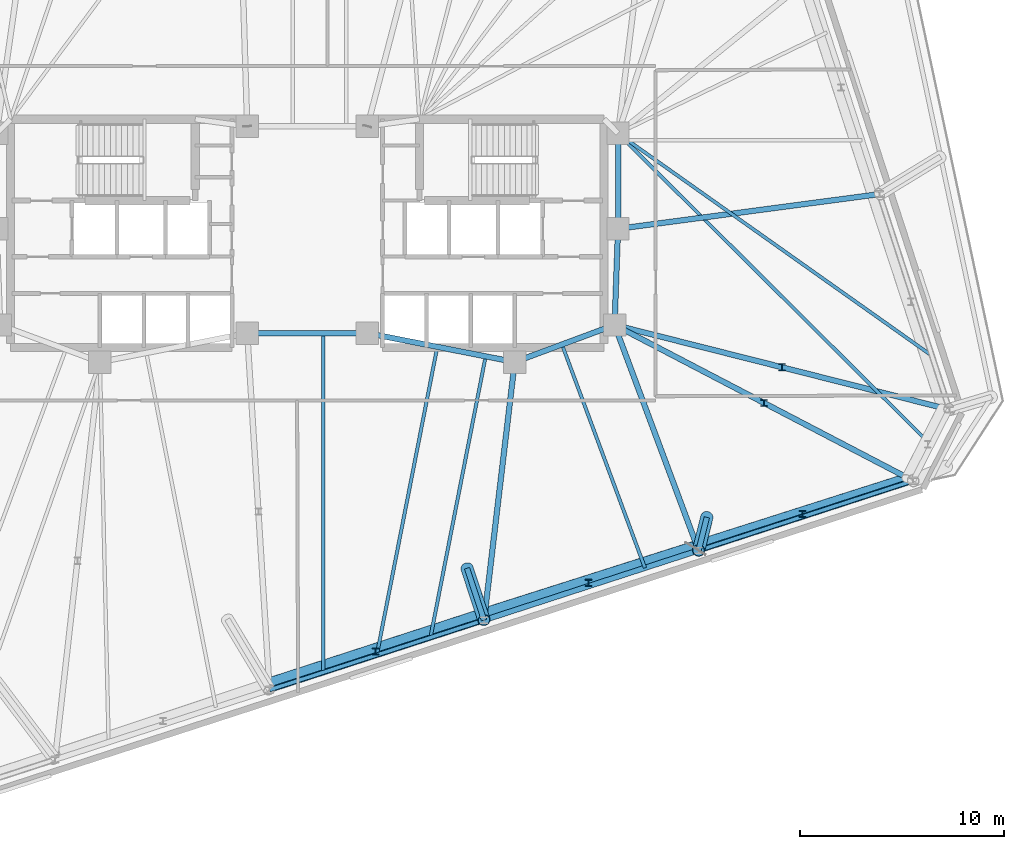
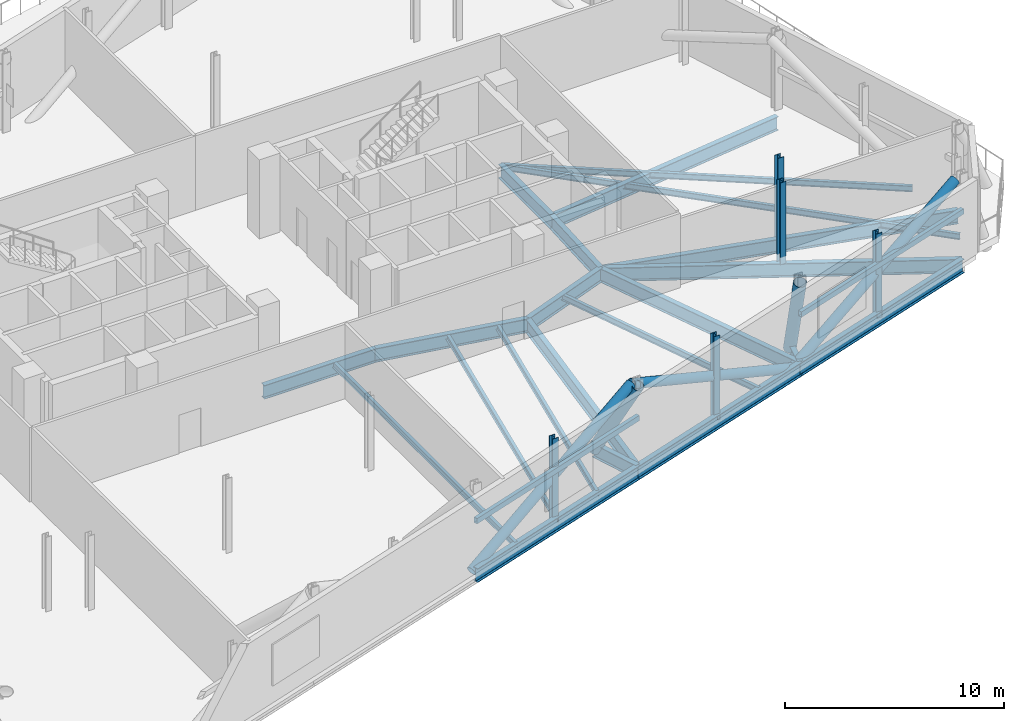
# One storey, part 6 of 16: 21 beams, 12 members.
"""IFC4 building model written with IfcOpenShell, lengths in metres."""

from ifc_helpers import new_model, si_unit, direction, frame, origin, origin_2d, place, context, subcontext, project, spatial, hollow_rectangle, hollow_circle, i_section, extrude, material, material_profile, profile_set, type_object, element, save


model = new_model("IFC4")

# Units and contexts
model_context = context("Model", 3, precision=1e-05, world=origin(), true_north=direction((0.0, 1.0)))
body_context = subcontext(model_context, "Body", "Model", "MODEL_VIEW")
ifc_project = project(units=[si_unit("LENGTHUNIT", "METRE"), si_unit("AREAUNIT", "SQUARE_METRE"), si_unit("VOLUMEUNIT", "CUBIC_METRE"), si_unit("PLANEANGLEUNIT", "RADIAN"), si_unit("MASSUNIT", "GRAM", prefix="KILO")], contexts=[model_context])

# Site, building, storey
site_placement = place(None, origin())
site = spatial("IfcSite", under=ifc_project, at=site_placement, CompositionType="ELEMENT")
building_placement = place(site_placement, origin())
building = spatial("IfcBuilding", under=site, at=building_placement, Name="Menara Jurai Vektor", CompositionType="ELEMENT")
storey_placement = place(building_placement, frame((0.0, 0.0, 202.39990234375)))
storey = spatial("IfcBuildingStorey", under=building, at=storey_placement, Name="L53", CompositionType="ELEMENT", Elevation=202.39990234375)

# Beams
ifc_material_1 = material(Name="Steel S460", Category="steel")
ifc_material_profile_1 = material_profile(ifc_material_1, i_section(OverallWidth=0.26806640625, OverallDepth=0.77001953125, WebThickness=0.01611328125, FlangeThickness=0.02490234375, FilletRadius=0.01708984375, at=origin_2d()), Name="UKB 762x267x197")
ifc_profile_set_1 = profile_set([ifc_material_profile_1], Name="Steel S460")
beam_type_1 = type_object("IfcBeamType", Name="STR-BM-TR762", PredefinedType="BEAM", material=ifc_profile_set_1)
beam_1_placement = place(storey_placement, frame((15.25, 0.219970703125, -0.789794921875), z_axis=(0.0, 1.0, 0.0), x_axis=(-1.0, 0.0, 0.0)))
element("IfcBeam", 1, at=beam_1_placement, inside=storey, type_object=beam_type_1, Name="Core Ring Header Girder L53-CHE-E1", PredefinedType="BEAM", context=body_context, shape_type="SweptSolid", body=[
    extrude(i_section(OverallWidth=0.26806640625, OverallDepth=0.77001953125, WebThickness=0.01611328125, FlangeThickness=0.02490234375, FilletRadius=0.01708984375, at=origin_2d()), origin(), (0.0, 0.0, 1.0), 4.679931640625),
])
beam_2_placement = place(storey_placement, frame((15.080078125, -4.5, -0.789794921875), z_axis=(0.035977314146, 0.999352606874, 0.0), x_axis=(-0.999352606874, 0.035977314146, 0.0)))
element("IfcBeam", 2, at=beam_2_placement, inside=storey, type_object=beam_type_1, Name="Core Ring Header Girder L53-CHE-E2", PredefinedType="BEAM", context=body_context, shape_type="SweptSolid", body=[
    extrude(i_section(OverallWidth=0.26806640625, OverallDepth=0.77001953125, WebThickness=0.01611328125, FlangeThickness=0.02490234375, FilletRadius=0.01708984375, at=origin_2d()), origin(), (0.0, 0.0, 1.0), 4.72314453125),
])
beam_3_placement = place(storey_placement, frame((10.179931640625, -6.320068359375, -0.789794921875), z_axis=(0.937424400887, 0.348188874925, 0.0), x_axis=(-0.348188874925, 0.937424400887, 0.0)))
element("IfcBeam", 3, at=beam_3_placement, inside=storey, type_object=beam_type_1, Name="Core Ring Header Girder L53-CHE-S1", PredefinedType="BEAM", context=body_context, shape_type="SweptSolid", body=[
    extrude(i_section(OverallWidth=0.26806640625, OverallDepth=0.77001953125, WebThickness=0.01611328125, FlangeThickness=0.02490234375, FilletRadius=0.01708984375, at=origin_2d()), origin(), (0.0, 0.0, 1.0), 5.227294921875),
])
beam_4_placement = place(storey_placement, frame((2.949951171875, -4.89990234375, -0.789794921875), z_axis=(0.981249044334, -0.192744164614, 0.0), x_axis=(0.192744164614, 0.981249044334, 0.0)))
element("IfcBeam", 4, at=beam_4_placement, inside=storey, type_object=beam_type_1, Name="Core Ring Header Girder L53-CHE-S2", PredefinedType="BEAM", context=body_context, shape_type="SweptSolid", body=[
    extrude(i_section(OverallWidth=0.26806640625, OverallDepth=0.77001953125, WebThickness=0.01611328125, FlangeThickness=0.02490234375, FilletRadius=0.01708984375, at=origin_2d()), origin(), (0.0, 0.0, 1.0), 7.3681640625),
])
beam_5_placement = place(storey_placement, frame((-2.949951171875, -4.89990234375, -0.789794921875), z_axis=(1.0, 0.0, 0.0), x_axis=(0.0, 1.0, 0.0)))
element("IfcBeam", 5, at=beam_5_placement, inside=storey, type_object=beam_type_1, Name="Core Ring Header Girder L53-CC-1", PredefinedType="BEAM", context=body_context, shape_type="SweptSolid", body=[
    extrude(i_section(OverallWidth=0.26806640625, OverallDepth=0.77001953125, WebThickness=0.01611328125, FlangeThickness=0.02490234375, FilletRadius=0.01708984375, at=origin_2d()), origin(), (0.0, 0.0, 1.0), 5.89990234375),
])
for number, where, z_axis, x_axis, name in (
    (6, (-1.854248046875, -22.40869140625, -0.789794921875), (0.951057401967, 0.309014268544, 0.0), (-0.309014268544, 0.951057401967, 0.0), "Belt Truss Bottom Chord L53-03"),
    (7, (8.675048828125, -18.987548828125, -0.789794921875), (0.951057401967, 0.309014268544, 0.0), (-0.309014268544, 0.951057401967, 0.0), "Belt Truss Bottom Chord L53-04"),
):
    element("IfcBeam", number, at=place(storey_placement, frame(where, z_axis=z_axis, x_axis=x_axis)), inside=storey, type_object=beam_type_1, Name=name, PredefinedType="BEAM", context=body_context, shape_type="SweptSolid", body=[
        extrude(i_section(OverallWidth=0.26806640625, OverallDepth=0.77001953125, WebThickness=0.01611328125, FlangeThickness=0.02490234375, FilletRadius=0.01708984375, at=origin_2d()), origin(), (0.0, 0.0, 1.0), 11.071044921875),
    ])
beam_6_placement = place(storey_placement, frame((7.83984375, -16.44140625, -0.789794921875), z_axis=(0.311686877553, -0.950184871676, 0.0), x_axis=(0.950184871676, 0.311686877553, 0.0)))
element("IfcBeam", 8, at=beam_6_placement, inside=storey, type_object=beam_type_1, Name="Cantilever Transfer Girder L53-S4", PredefinedType="BEAM", context=body_context, shape_type="SweptSolid", body=[
    extrude(i_section(OverallWidth=0.26806640625, OverallDepth=0.77001953125, WebThickness=0.01611328125, FlangeThickness=0.02490234375, FilletRadius=0.01708984375, at=origin_2d()), origin(), (0.0, 0.0, 1.0), 2.6796875),
])
beam_7_placement = place(storey_placement, frame((8.675048828125, -18.987548828125, -0.789794921875), z_axis=(0.117969360513, 0.99301723549, 0.0), x_axis=(-0.99301723549, 0.117969360513, 0.0)))
element("IfcBeam", 9, at=beam_7_placement, inside=storey, type_object=beam_type_1, Name="Outrigger Transfer Girder L53-S4", PredefinedType="BEAM", context=body_context, shape_type="SweptSolid", body=[
    extrude(i_section(OverallWidth=0.26806640625, OverallDepth=0.77001953125, WebThickness=0.01611328125, FlangeThickness=0.02490234375, FilletRadius=0.01708984375, at=origin_2d()), origin(), (0.0, 0.0, 1.0), 12.756591796875),
])
beam_8_placement = place(storey_placement, frame((19.204345703125, -15.56640625, -0.789794921875), z_axis=(0.951048814879, 0.309040695892, 0.0), x_axis=(-0.309040695892, 0.951048814879, 0.0)))
element("IfcBeam", 10, at=beam_8_placement, inside=storey, type_object=beam_type_1, Name="Belt Truss Bottom Chord L53-05", PredefinedType="BEAM", context=body_context, shape_type="SweptSolid", body=[
    extrude(i_section(OverallWidth=0.26806640625, OverallDepth=0.77001953125, WebThickness=0.01611328125, FlangeThickness=0.02490234375, FilletRadius=0.01708984375, at=origin_2d()), origin(), (0.0, 0.0, 1.0), 11.071044921875),
])
beam_9_placement = place(storey_placement, frame((19.608154296875, -13.940185546875, -0.789794921875), z_axis=(-0.240992581882, -0.970526957626, 0.0), x_axis=(0.970526957626, -0.240992581882, 0.0)))
element("IfcBeam", 11, at=beam_9_placement, inside=storey, type_object=beam_type_1, Name="Cantilever Transfer Girder L53-S5", PredefinedType="BEAM", context=body_context, shape_type="SweptSolid", body=[
    extrude(i_section(OverallWidth=0.26806640625, OverallDepth=0.77001953125, WebThickness=0.01611328125, FlangeThickness=0.02490234375, FilletRadius=0.01708984375, at=origin_2d()), origin(), (0.0, 0.0, 1.0), 1.675537109375),
])
beam_10_placement = place(storey_placement, frame((19.204345703125, -15.56640625, -0.789794921875), z_axis=(-0.349219718154, 0.93704086808, 0.0), x_axis=(-0.93704086808, -0.349219718154, 0.0)))
element("IfcBeam", 12, at=beam_10_placement, inside=storey, type_object=beam_type_1, Name="Outrigger Transfer Girder L53-S5", PredefinedType="BEAM", context=body_context, shape_type="SweptSolid", body=[
    extrude(i_section(OverallWidth=0.26806640625, OverallDepth=0.77001953125, WebThickness=0.01611328125, FlangeThickness=0.02490234375, FilletRadius=0.01708984375, at=origin_2d()), origin(), (0.0, 0.0, 1.0), 11.81005859375),
])
beam_11_placement = place(storey_placement, frame((29.7333984375, -12.14501953125, -0.789794921875), z_axis=(-0.886589587068, 0.462556919851, 0.0), x_axis=(-0.462556919851, -0.886589587068, 0.0)))
element("IfcBeam", 13, at=beam_11_placement, inside=storey, type_object=beam_type_1, Name="Outrigger Transfer Girder L53-S6", PredefinedType="BEAM", context=body_context, shape_type="SweptSolid", body=[
    extrude(i_section(OverallWidth=0.26806640625, OverallDepth=0.77001953125, WebThickness=0.01611328125, FlangeThickness=0.02490234375, FilletRadius=0.01708984375, at=origin_2d()), origin(), (0.0, 0.0, 1.0), 16.52783203125),
])
beam_12_placement = place(storey_placement, frame((31.513427734375, -8.652099609375, -0.789794921875), z_axis=(-0.969531956771, 0.244964864418, 0.0), x_axis=(-0.244964864418, -0.969531956771, 0.0)))
element("IfcBeam", 14, at=beam_12_placement, inside=storey, type_object=beam_type_1, Name="Outrigger Transfer Girder L53-E1", PredefinedType="BEAM", context=body_context, shape_type="SweptSolid", body=[
    extrude(i_section(OverallWidth=0.26806640625, OverallDepth=0.77001953125, WebThickness=0.01611328125, FlangeThickness=0.02490234375, FilletRadius=0.01708984375, at=origin_2d()), origin(), (0.0, 0.0, 1.0), 16.94970703125),
])
beam_13_placement = place(storey_placement, frame((28.07763671875, 1.92236328125, -0.789794921875), z_axis=(-0.99130829243, -0.131559375797, 0.0), x_axis=(0.131559375797, -0.99130829243, 0.0)))
element("IfcBeam", 15, at=beam_13_placement, inside=storey, type_object=beam_type_1, Name="Outrigger Transfer Girder L53-E2", PredefinedType="BEAM", context=body_context, shape_type="SweptSolid", body=[
    extrude(i_section(OverallWidth=0.26806640625, OverallDepth=0.77001953125, WebThickness=0.01611328125, FlangeThickness=0.02490234375, FilletRadius=0.01708984375, at=origin_2d()), origin(), (0.0, 0.0, 1.0), 12.940185546875),
])

# Members
ifc_material_profile_2 = material_profile(ifc_material_1, hollow_circle(Radius=0.25390625, WallThickness=0.02001953125, at=origin_2d()), Name="CHS 508x20")
ifc_profile_set_2 = profile_set([ifc_material_profile_2], Name="Steel S460")
member_type_1 = type_object("IfcMemberType", Name="STR-BR-508", PredefinedType="BRACE", material=ifc_profile_set_2)
member_1_placement = place(storey_placement, frame((-1.86669921875, -22.06884765625, -0.789794921875), z_axis=(0.870728383739, 0.282932306758, 0.402220575734), x_axis=(-0.30903231228, 0.95105153907, 0.0)))
element("IfcMember", 16, at=member_1_placement, inside=storey, type_object=member_type_1, Name="Belt Truss Web Diagonal L53-03", PredefinedType="BRACE", context=body_context, shape_type="SweptSolid", body=[
    extrude(hollow_circle(Radius=0.25390625, WallThickness=0.02001953125, at=origin_2d()), origin(), (0.0, 0.0, 1.0), 11.888916015625),
])
member_2_placement = place(storey_placement, frame((18.914306640625, -15.388671875, -0.789794921875), z_axis=(-0.873246517632, -0.277692269951, 0.400409194018), x_axis=(0.303046192233, -0.952975868201, 0.0)))
element("IfcMember", 17, at=member_2_placement, inside=storey, type_object=member_type_1, Name="Belt Truss Web Diagonal L53-04", PredefinedType="BRACE", context=body_context, shape_type="SweptSolid", body=[
    extrude(hollow_circle(Radius=0.25390625, WallThickness=0.02001953125, at=origin_2d()), origin(), (0.0, 0.0, 1.0), 11.942626953125),
])
member_3_placement = place(storey_placement, frame((18.914306640625, -15.388671875, -0.789794921875), z_axis=(0.873990542775, 0.278452959947, 0.398251779954), x_axis=(-0.303565030582, 0.952810722131, 0.0)))
element("IfcMember", 18, at=member_3_placement, inside=storey, type_object=member_type_1, Name="Belt Truss Web Diagonal L53-05", PredefinedType="BRACE", context=body_context, shape_type="SweptSolid", body=[
    extrude(hollow_circle(Radius=0.25390625, WallThickness=0.02001953125, at=origin_2d()), origin(), (0.0, 0.0, 1.0), 12.00732421875),
])
ifc_material_profile_3 = material_profile(ifc_material_1, hollow_rectangle(XDim=0.199951171875, YDim=0.300048828125, WallThickness=0.012451171875, at=origin_2d()), Name="RHS 300x200x12.5")
ifc_profile_set_3 = profile_set([ifc_material_profile_3], Name="Steel S460")
member_type_2 = type_object("IfcMemberType", Name="STR-CH-RHS300", PredefinedType="CHORD", material=ifc_profile_set_3)
member_4_placement = place(storey_placement, frame((-1.854248046875, -22.40869140625, 2.22998046875), z_axis=(0.951057401967, 0.309014268544, 0.0), x_axis=(-0.309014268544, 0.951057401967, 0.0)))
element("IfcMember", 19, at=member_4_placement, inside=storey, type_object=member_type_2, Name="Belt Truss Mid Chord L53-03", PredefinedType="CHORD", context=body_context, shape_type="SweptSolid", body=[
    extrude(hollow_rectangle(XDim=0.199951171875, YDim=0.300048828125, WallThickness=0.012451171875, at=origin_2d()), origin(), (0.0, 0.0, 1.0), 11.071044921875),
])
member_5_placement = place(storey_placement, frame((19.204345703125, -15.56640625, 2.22998046875), z_axis=(0.951050920942, 0.309034214572, 0.0), x_axis=(-0.309034214572, 0.951050920942, 0.0)))
element("IfcMember", 20, at=member_5_placement, inside=storey, type_object=member_type_2, Name="Belt Truss Mid Chord L53-05", PredefinedType="CHORD", context=body_context, shape_type="SweptSolid", body=[
    extrude(hollow_rectangle(XDim=0.199951171875, YDim=0.300048828125, WallThickness=0.012451171875, at=origin_2d()), origin(), (0.0, 0.0, 1.0), 11.0712890625),
])

# Beams
ifc_material_2 = material(Name="Steel S355", Category="steel")
ifc_material_profile_4 = material_profile(ifc_material_2, i_section(OverallWidth=0.1650390625, OverallDepth=0.330078125, WebThickness=0.009033203125, FlangeThickness=0.013916015625, at=origin_2d()), Name="PG 330x165x46")
ifc_profile_set_4 = profile_set([ifc_material_profile_4], Name="Steel S355")
beam_type_2 = type_object("IfcBeamType", Name="STR-JS-330", PredefinedType="JOIST", material=ifc_profile_set_4)
beam_14_placement = place(storey_placement, frame((0.778076171875, -21.55322265625, -0.56982421875), z_axis=(0.0, 1.0, 0.0), x_axis=(-1.0, 0.0, 0.0)))
element("IfcBeam", 21, at=beam_14_placement, inside=storey, type_object=beam_type_2, Name="Radial Secondary Floor Joist L53-JS05", PredefinedType="JOIST", context=body_context, shape_type="SweptSolid", body=[
    extrude(i_section(OverallWidth=0.1650390625, OverallDepth=0.330078125, WebThickness=0.009033203125, FlangeThickness=0.013916015625, at=origin_2d()), origin(), (0.0, 0.0, 1.0), 16.6533203125),
])
beam_15_placement = place(storey_placement, frame((3.410400390625, -20.697998046875, -0.56982421875), z_axis=(0.192721610081, 0.981253474393, 0.0), x_axis=(-0.981253474393, 0.192721610081, 0.0)))
element("IfcBeam", 22, at=beam_15_placement, inside=storey, type_object=beam_type_2, Name="Radial Secondary Floor Joist L53-JS06", PredefinedType="JOIST", context=body_context, shape_type="SweptSolid", body=[
    extrude(i_section(OverallWidth=0.1650390625, OverallDepth=0.330078125, WebThickness=0.009033203125, FlangeThickness=0.013916015625, at=origin_2d()), origin(), (0.0, 0.0, 1.0), 15.413330078125),
])
beam_16_placement = place(storey_placement, frame((6.042724609375, -19.8427734375, -0.56982421875), z_axis=(0.192720535629, 0.981253685418, 0.0), x_axis=(-0.981253685418, 0.192720535629, 0.0)))
element("IfcBeam", 23, at=beam_16_placement, inside=storey, type_object=beam_type_2, Name="Radial Secondary Floor Joist L53-JS07", PredefinedType="JOIST", context=body_context, shape_type="SweptSolid", body=[
    extrude(i_section(OverallWidth=0.1650390625, OverallDepth=0.330078125, WebThickness=0.009033203125, FlangeThickness=0.013916015625, at=origin_2d()), origin(), (0.0, 0.0, 1.0), 14.066650390625),
])
beam_17_placement = place(storey_placement, frame((16.572021484375, -16.421630859375, -0.56982421875), z_axis=(-0.348179715909, 0.937427802782, 0.0), x_axis=(-0.937427802782, -0.348179715909, 0.0)))
element("IfcBeam", 24, at=beam_17_placement, inside=storey, type_object=beam_type_2, Name="Radial Secondary Floor Joist L53-JS08", PredefinedType="JOIST", context=body_context, shape_type="SweptSolid", body=[
    extrude(i_section(OverallWidth=0.1650390625, OverallDepth=0.330078125, WebThickness=0.009033203125, FlangeThickness=0.013916015625, at=origin_2d()), origin(), (0.0, 0.0, 1.0), 11.695068359375),
])
beam_18_placement = place(storey_placement, frame((30.62353515625, -10.398681640625, -0.56982421875), z_axis=(-0.70883256901, 0.705376771032, 0.0), x_axis=(-0.705376771032, -0.70883256901, 0.0)))
element("IfcBeam", 25, at=beam_18_placement, inside=storey, type_object=beam_type_2, Name="Radial Secondary Floor Joist L53-JS09", PredefinedType="JOIST", context=body_context, shape_type="SweptSolid", body=[
    extrude(i_section(OverallWidth=0.1650390625, OverallDepth=0.330078125, WebThickness=0.009033203125, FlangeThickness=0.013916015625, at=origin_2d()), origin(), (0.0, 0.0, 1.0), 21.6884765625),
])
beam_19_placement = place(storey_placement, frame((30.654296875, -6.00830078125, -0.56982421875), z_axis=(-0.816103783972, 0.577905367501, 0.0), x_axis=(-0.577905367501, -0.816103783972, 0.0)))
element("IfcBeam", 26, at=beam_19_placement, inside=storey, type_object=beam_type_2, Name="Radial Secondary Floor Joist L53-JS10", PredefinedType="JOIST", context=body_context, shape_type="SweptSolid", body=[
    extrude(i_section(OverallWidth=0.1650390625, OverallDepth=0.330078125, WebThickness=0.009033203125, FlangeThickness=0.013916015625, at=origin_2d()), origin(), (0.0, 0.0, 1.0), 18.87548828125),
])

# Members
ifc_material_profile_5 = material_profile(ifc_material_1, i_section(OverallWidth=0.31103515625, OverallDepth=0.326904296875, WebThickness=0.01611328125, FlangeThickness=0.02490234375, FilletRadius=0.014892578125, at=origin_2d()), Name="UKC 305x305x158")
ifc_profile_set_5 = profile_set([ifc_material_profile_5], Name="Steel S460")
member_type_3 = type_object("IfcMemberType", Name="STR-POST-305", PredefinedType="POST", material=ifc_profile_set_5)
for number, where, z_axis, x_axis, name in (
    (27, (3.354736328125, -20.52685546875, -0.7548828125), (0.0, 0.0, 1.0), (1.0, 0.0, 0.0), "Belt Truss Vertical Web Post L53-03"),
    (28, (13.806640625, -17.155517578125, -0.7548828125), (0.0, 0.0, 1.0), (1.0, 0.0, 0.0), "Belt Truss Vertical Web Post L53-04"),
    (29, (24.3037109375, -13.784423828125, -0.7548828125), (0.0, 0.0, 1.0), (1.0, 0.0, 0.0), "Belt Truss Vertical Web Post L53-05"),
):
    element("IfcMember", number, at=place(storey_placement, frame(where, z_axis=z_axis, x_axis=x_axis)), inside=storey, type_object=member_type_3, Name=name, PredefinedType="POST", context=body_context, shape_type="SweptSolid", body=[
        extrude(i_section(OverallWidth=0.31103515625, OverallDepth=0.326904296875, WebThickness=0.01611328125, FlangeThickness=0.02490234375, FilletRadius=0.014892578125, at=origin_2d()), origin(), (0.0, 0.0, 1.0), 4.705078125),
    ])
for number, where, z_axis, x_axis, name in (
    (30, (22.40673828125, -8.322509765625, -0.40478515625), (0.0, 0.0, 1.0), (1.0, 0.0, 0.0), "Girder Hanger L53-S6"),
    (31, (23.296630859375, -6.575927734375, -0.40478515625), (0.0, 0.0, 1.0), (1.0, 0.0, 0.0), "Girder Hanger L53-E1"),
):
    element("IfcMember", number, at=place(storey_placement, frame(where, z_axis=z_axis, x_axis=x_axis)), inside=storey, type_object=member_type_3, Name=name, PredefinedType="POST", context=body_context, shape_type="SweptSolid", body=[
        extrude(i_section(OverallWidth=0.31103515625, OverallDepth=0.326904296875, WebThickness=0.01611328125, FlangeThickness=0.02490234375, FilletRadius=0.014892578125, at=origin_2d()), origin(), (0.0, 0.0, 1.0), 4.554931640625),
    ])
ifc_material_profile_6 = material_profile(ifc_material_1, hollow_circle(Radius=0.304931640625, WallThickness=0.02490234375, at=origin_2d()), Name="CHS 610x25")
ifc_profile_set_6 = profile_set([ifc_material_profile_6], Name="Steel S460")
member_type_4 = type_object("IfcMemberType", Name="STR-ST-610", PredefinedType="STRUT", material=ifc_profile_set_6)
member_6_placement = place(storey_placement, frame((7.83984375, -16.44140625, -0.789794921875), z_axis=(0.15236563854, -0.464490278964, 0.872372336185), x_axis=(0.950184871676, 0.311686877553, 0.0)))
element("IfcMember", 32, at=member_6_placement, inside=storey, type_object=member_type_4, Name="Transfer Outrigger Strut L53-S4", PredefinedType="STRUT", context=body_context, shape_type="SweptSolid", body=[
    extrude(hollow_circle(Radius=0.304931640625, WallThickness=0.02490234375, at=origin_2d()), origin(), (0.0, 0.0, 1.0), 5.481689453125),
])
member_7_placement = place(storey_placement, frame((19.608154296875, -13.940185546875, -0.789794921875), z_axis=(-0.079693011347, -0.320940234937, 0.943740636797), x_axis=(0.970526957626, -0.240992581882, 0.0)))
element("IfcMember", 33, at=member_7_placement, inside=storey, type_object=member_type_4, Name="Transfer Outrigger Strut L53-S5", PredefinedType="STRUT", context=body_context, shape_type="SweptSolid", body=[
    extrude(hollow_circle(Radius=0.304931640625, WallThickness=0.02490234375, at=origin_2d()), origin(), (0.0, 0.0, 1.0), 5.067138671875),
])

save(model, "model.ifc")
